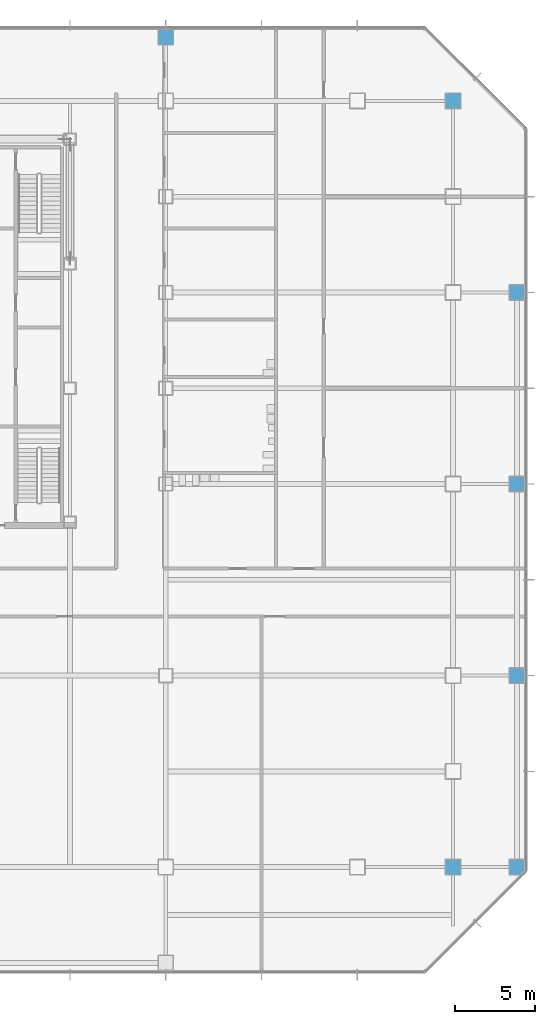
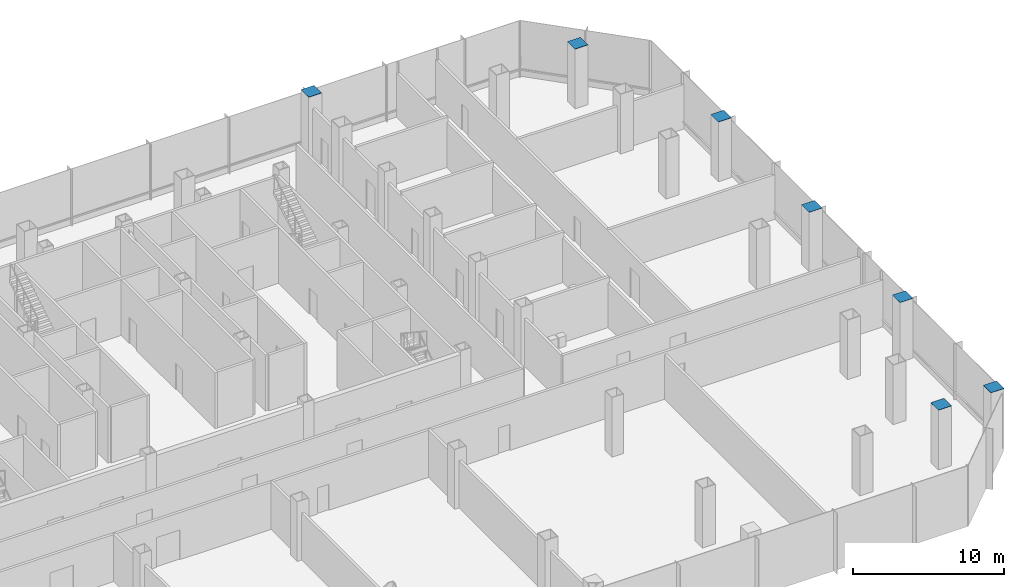
# One storey, part 27 of 34: 7 discrete accessories.
"""IFC4 building model written with IfcOpenShell, lengths in metres."""

from ifc_helpers import new_model, si_unit, direction, frame, origin, origin_2d, place, context, subcontext, project, spatial, rectangle, extrude, material, layer, layer_set, type_object, element, save


model = new_model("IFC4")

# Units and contexts
model_context = context("Model", 3, precision=1e-05, world=origin(), true_north=direction((0.0, 1.0)))
body_context = subcontext(model_context, "Body", "Model", "MODEL_VIEW")
ifc_project = project(units=[si_unit("LENGTHUNIT", "METRE"), si_unit("AREAUNIT", "SQUARE_METRE"), si_unit("VOLUMEUNIT", "CUBIC_METRE"), si_unit("PLANEANGLEUNIT", "RADIAN"), si_unit("MASSUNIT", "GRAM", prefix="KILO")], contexts=[model_context])

# Site, building, storey
site_placement = place(None, origin())
site = spatial("IfcSite", under=ifc_project, at=site_placement, CompositionType="ELEMENT")
building_placement = place(site_placement, origin())
building = spatial("IfcBuilding", under=site, at=building_placement, Name="Sorahane Residences", CompositionType="ELEMENT")
storey_placement = place(building_placement, frame((0.0, 0.0, 39.60009765625)))
storey = spatial("IfcBuildingStorey", under=building, at=storey_placement, Name="L06", CompositionType="ELEMENT", Elevation=39.60009765625)

# Discrete accessories
ifc_material = material(Name="Steel Q420GJ", Category="steel")
ifc_layer = layer(ifc_material, 0.02001953125)
ifc_layer_set = layer_set([ifc_layer], Name="End plate Steel Q420GJ 1000x1000x20")
discrete_accessory_type = type_object("IfcDiscreteAccessoryType", Name="End plate Steel Q420GJ 1000x1000x20", PredefinedType="USERDEFINED", material=ifc_layer_set)
for number, where, z_axis, x_axis, name in (
    (1, (48.0, 52.0, 4.7998046875), (0.0, 0.0, 1.0), (1.0, 0.0, 0.0), "End plate L06"),
    (2, (66.0, 0.0, 4.7998046875), (0.0, 0.0, 1.0), (1.0, 0.0, 0.0), "End plate L06"),
    (3, (66.0, 48.0, 4.7998046875), (0.0, 0.0, 1.0), (1.0, 0.0, 0.0), "End plate L06"),
    (4, (70.0, 0.0, 4.7998046875), (0.0, 0.0, 1.0), (1.0, 0.0, 0.0), "End plate L06"),
    (5, (70.0, 12.0, 4.7998046875), (0.0, 0.0, 1.0), (1.0, 0.0, 0.0), "End plate L06"),
    (6, (70.0, 24.0, 4.7998046875), (0.0, 0.0, 1.0), (1.0, 0.0, 0.0), "End plate L06"),
    (7, (70.0, 36.0, 4.7998046875), (0.0, 0.0, 1.0), (1.0, 0.0, 0.0), "End plate L06"),
):
    element("IfcDiscreteAccessory", number, at=place(storey_placement, frame(where, z_axis=z_axis, x_axis=x_axis)), inside=storey, type_object=discrete_accessory_type, Name=name, ObjectType="END PLATE", PredefinedType="USERDEFINED", context=body_context, shape_type="SweptSolid", body=[
        extrude(rectangle(XDim=1.0, YDim=1.0, at=origin_2d()), origin(), (0.0, 0.0, 1.0), 0.02001953125),
    ])

save(model, "model.ifc")
